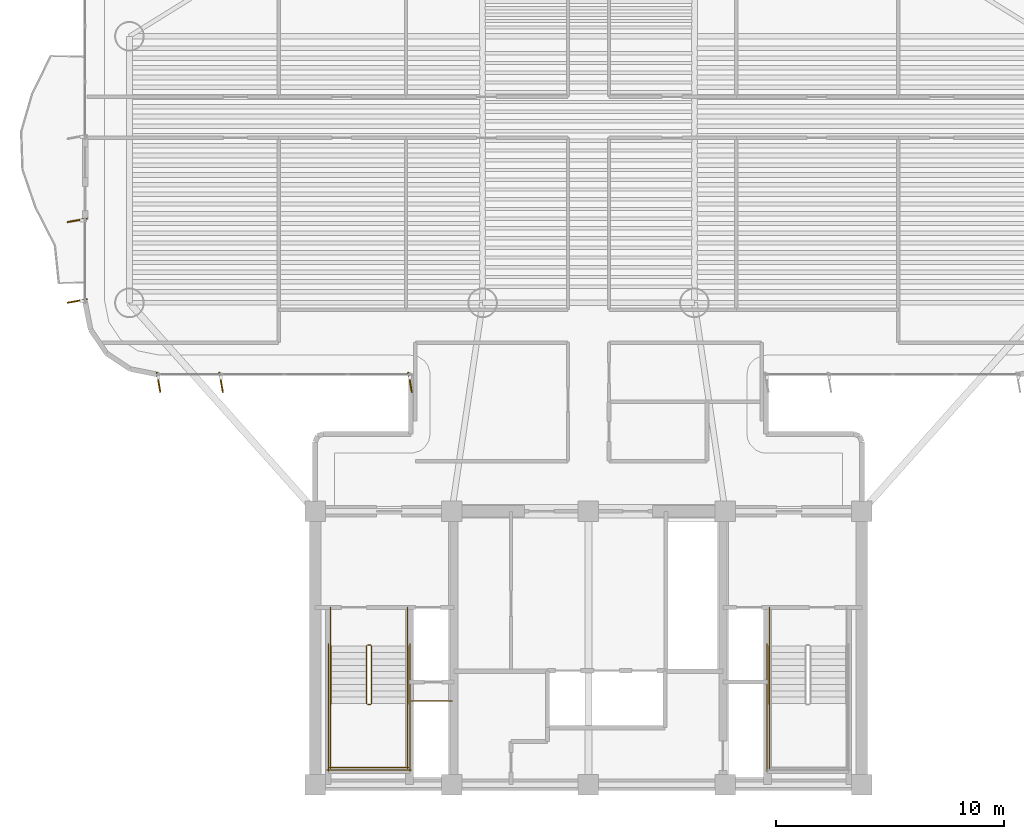
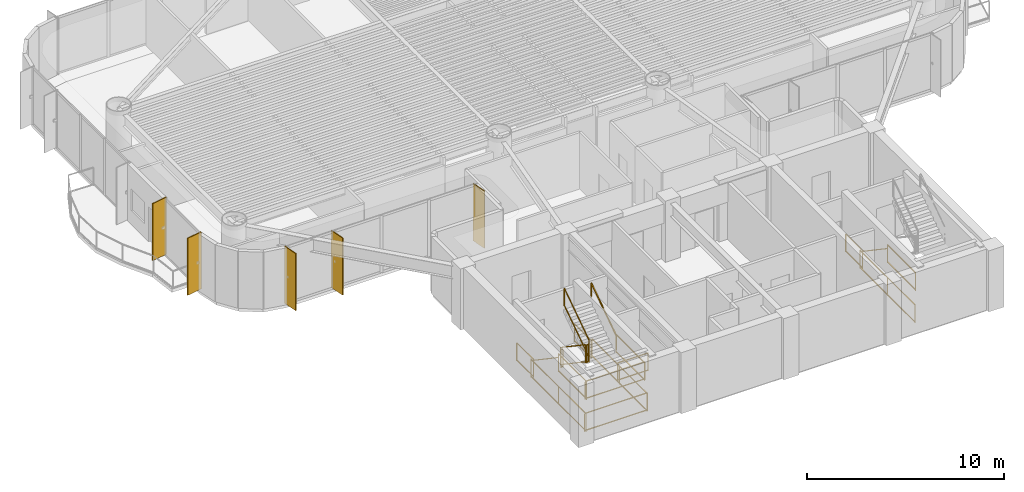
# One storey, part 13 of 16: 19 railings, 5 shading devices.
"""IFC4 building model written with IfcOpenShell, lengths in metres."""

from ifc_helpers import new_model, si_unit, direction, frame, origin, origin_2d, place, context, subcontext, project, spatial, rectangle, extrude, source, transform, mapped, material, layer, layer_set, material_profile, profile_set, type_object, element, save


model = new_model("IFC4")

# Units and contexts
model_context = context("Model", 3, precision=1e-05, world=origin(), true_north=direction((0.0, 1.0)))
body_context = subcontext(model_context, "Body", "Model", "MODEL_VIEW")
ifc_project = project(units=[si_unit("LENGTHUNIT", "METRE"), si_unit("AREAUNIT", "SQUARE_METRE"), si_unit("VOLUMEUNIT", "CUBIC_METRE"), si_unit("PLANEANGLEUNIT", "RADIAN"), si_unit("MASSUNIT", "GRAM", prefix="KILO")], contexts=[model_context])

# Site, building, storey
site_placement = place(None, origin())
site = spatial("IfcSite", under=ifc_project, at=site_placement, CompositionType="ELEMENT")
building_placement = place(site_placement, origin())
building = spatial("IfcBuilding", under=site, at=building_placement, Name="Brelvock Crest Care Tower", CompositionType="ELEMENT")
storey_placement = place(building_placement, frame((0.0, 0.0, 123.840087890625)))
storey = spatial("IfcBuildingStorey", under=building, at=storey_placement, Name="L31", CompositionType="ELEMENT", Elevation=123.840087890625)

# Railings
ifc_material_1 = material(Name="Steel Grade 350", Category="steel")
ifc_layer_1 = layer(ifc_material_1, 0.050048828125, Name="RL-STG1")
ifc_layer_set_1 = layer_set([ifc_layer_1], Name="Steel Grade 350")
railing_type_1 = type_object("IfcRailingType", Name="RL-STG1", PredefinedType="GUARDRAIL", material=ifc_layer_set_1)
railing_1_placement = place(storey_placement, frame((26.260009765625, 12.080078125, 0.18896484375)))
element("IfcRailing", 1, at=railing_1_placement, inside=storey, type_object=railing_type_1, Name="L31 ST-1 stair guard 1", PredefinedType="GUARDRAIL", context=body_context, shape_type="SweptSolid", body=[
    extrude(rectangle(XDim=0.048095703125, YDim=0.048095703125, at=origin_2d()), frame((0.0, -0.001708984375, 1.116943359375), z_axis=(0.0, -0.828861706735, 0.559453546873), x_axis=(1.0, 0.0, 0.0)), (0.0, 0.0, 1.0), 3.036376953125),
    extrude(rectangle(XDim=0.048095703125, YDim=0.048095703125, at=origin_2d()), frame((0.0, -0.001708984375, 0.05615234375), z_axis=(0.0, -0.828861706735, 0.559453546873), x_axis=(1.0, 0.0, 0.0)), (0.0, 0.0, 1.0), 3.036376953125),
    extrude(rectangle(XDim=0.0419921875, YDim=0.0419921875, at=origin_2d()), origin(), (0.0, 0.0, 1.0), 1.08984375),
    extrude(rectangle(XDim=0.0419921875, YDim=0.0419921875, at=origin_2d()), frame((0.0, -2.52001953125, 1.700927734375)), (0.0, 0.0, 1.0), 1.08984375),
])
railing_2_placement = place(storey_placement, frame((26.31005859375, 9.510009765625, 1.889892578125)))
element("IfcRailing", 2, at=railing_2_placement, inside=storey, type_object=railing_type_1, Name="L31 ST-1 stair guard 2", PredefinedType="GUARDRAIL", context=body_context, shape_type="SweptSolid", body=[
    extrude(rectangle(XDim=0.048095703125, YDim=0.048095703125, at=origin_2d()), frame((0.001953125, 0.0, 1.11572265625), z_axis=(1.0, 0.0, 0.0), x_axis=(0.0, 1.0, 0.0)), (0.0, 0.0, 1.0), 0.115966796875),
    extrude(rectangle(XDim=0.048095703125, YDim=0.048095703125, at=origin_2d()), frame((0.001953125, 0.0, 0.054931640625), z_axis=(1.0, 0.0, 0.0), x_axis=(0.0, 1.0, 0.0)), (0.0, 0.0, 1.0), 0.115966796875),
    extrude(rectangle(XDim=0.0419921875, YDim=0.0419921875, at=origin_2d()), origin(), (0.0, 0.0, 1.0), 1.08984375),
    extrude(rectangle(XDim=0.0419921875, YDim=0.0419921875, at=origin_2d()), frame((0.119873046875, 0.0, 0.0)), (0.0, 0.0, 1.0), 1.08984375),
])
for number, where, name in (
    (3, (24.679931640625, 9.56005859375, 1.889892578125), "L31 ST-1 stair guard 3"),
    (4, (28.06005859375, 9.56005859375, 1.889892578125), "L31 ST-1 stair guard 4"),
):
    element("IfcRailing", number, at=place(storey_placement, frame(where)), inside=storey, type_object=railing_type_1, Name=name, PredefinedType="GUARDRAIL", context=body_context, shape_type="SweptSolid", body=[
        extrude(rectangle(XDim=0.048095703125, YDim=0.048095703125, at=origin_2d()), frame((0.0, -0.001953125, 1.11572265625), z_axis=(0.0, -1.0, 0.0), x_axis=(1.0, 0.0, 0.0)), (0.0, 0.0, 1.0), 2.856201171875),
        extrude(rectangle(XDim=0.048095703125, YDim=0.048095703125, at=origin_2d()), frame((0.0, -0.001953125, 0.054931640625), z_axis=(0.0, -1.0, 0.0), x_axis=(1.0, 0.0, 0.0)), (0.0, 0.0, 1.0), 2.856201171875),
        extrude(rectangle(XDim=0.0419921875, YDim=0.0419921875, at=origin_2d()), origin(), (0.0, 0.0, 1.0), 1.08984375),
        extrude(rectangle(XDim=0.0419921875, YDim=0.0419921875, at=origin_2d()), frame((0.0, -2.860107421875, 0.0)), (0.0, 0.0, 1.0), 1.08984375),
    ])
railing_3_placement = place(storey_placement, frame((24.6298828125, 6.75, 1.889892578125)))
element("IfcRailing", 5, at=railing_3_placement, inside=storey, type_object=railing_type_1, Name="L31 ST-1 stair guard 5", PredefinedType="GUARDRAIL", context=body_context, shape_type="SweptSolid", body=[
    extrude(rectangle(XDim=0.048095703125, YDim=0.048095703125, at=origin_2d()), frame((0.001953125, 0.0, 1.11572265625), z_axis=(1.0, 0.0, 0.0), x_axis=(0.0, 1.0, 0.0)), (0.0, 0.0, 1.0), 3.476318359375),
    extrude(rectangle(XDim=0.048095703125, YDim=0.048095703125, at=origin_2d()), frame((0.001953125, 0.0, 0.054931640625), z_axis=(1.0, 0.0, 0.0), x_axis=(0.0, 1.0, 0.0)), (0.0, 0.0, 1.0), 3.476318359375),
    extrude(rectangle(XDim=0.0419921875, YDim=0.0419921875, at=origin_2d()), origin(), (0.0, 0.0, 1.0), 1.08984375),
    extrude(rectangle(XDim=0.0419921875, YDim=0.0419921875, at=origin_2d()), frame((3.480224609375, 0.0, 0.0)), (0.0, 0.0, 1.0), 1.08984375),
])
railing_4_placement = place(storey_placement, frame((26.47998046875, 9.56005859375, 2.078857421875)))
element("IfcRailing", 6, at=railing_4_placement, inside=storey, type_object=railing_type_1, Name="L31 ST-1 stair guard 6", PredefinedType="GUARDRAIL", context=body_context, shape_type="SweptSolid", body=[
    extrude(rectangle(XDim=0.048095703125, YDim=0.048095703125, at=origin_2d()), frame((0.0, 0.001708984375, 1.116943359375), z_axis=(0.0, 0.82882447046, 0.559508710537), x_axis=(-1.0, 0.0, 0.0)), (0.0, 0.0, 1.0), 3.036376953125),
    extrude(rectangle(XDim=0.048095703125, YDim=0.048095703125, at=origin_2d()), frame((0.0, 0.001708984375, 0.05615234375), z_axis=(0.0, 0.82882447046, 0.559508710537), x_axis=(-1.0, 0.0, 0.0)), (0.0, 0.0, 1.0), 3.036376953125),
    extrude(rectangle(XDim=0.0419921875, YDim=0.0419921875, at=origin_2d()), origin(), (0.0, 0.0, 1.0), 1.08984375),
    extrude(rectangle(XDim=0.0419921875, YDim=0.0419921875, at=origin_2d()), frame((0.0, 2.52001953125, 1.701171875)), (0.0, 0.0, 1.0), 1.08984375),
])
railing_5_placement = place(storey_placement, frame((26.31005859375, 12.1298828125, 0.0)))
element("IfcRailing", 7, at=railing_5_placement, inside=storey, type_object=railing_type_1, Name="L31 ST-1 stair guard 7", PredefinedType="GUARDRAIL", context=body_context, shape_type="SweptSolid", body=[
    extrude(rectangle(XDim=0.048095703125, YDim=0.048095703125, at=origin_2d()), frame((0.001953125, 0.0, 1.11572265625), z_axis=(1.0, 0.0, 0.0), x_axis=(0.0, 1.0, 0.0)), (0.0, 0.0, 1.0), 0.115966796875),
    extrude(rectangle(XDim=0.048095703125, YDim=0.048095703125, at=origin_2d()), frame((0.001953125, 0.0, 0.054931640625), z_axis=(1.0, 0.0, 0.0), x_axis=(0.0, 1.0, 0.0)), (0.0, 0.0, 1.0), 0.115966796875),
    extrude(rectangle(XDim=0.0419921875, YDim=0.0419921875, at=origin_2d()), origin(), (0.0, 0.0, 1.0), 1.08984375),
    extrude(rectangle(XDim=0.0419921875, YDim=0.0419921875, at=origin_2d()), frame((0.119873046875, 0.0, 0.0)), (0.0, 0.0, 1.0), 1.08984375),
])
for number, where, name in (
    (8, (24.679931640625, 13.780029296875, 0.0), "L31 ST-1 stair guard 8"),
    (9, (28.06005859375, 13.780029296875, 0.0), "L31 ST-1 stair guard 9"),
):
    element("IfcRailing", number, at=place(storey_placement, frame(where)), inside=storey, type_object=railing_type_1, Name=name, PredefinedType="GUARDRAIL", context=body_context, shape_type="SweptSolid", body=[
        extrude(rectangle(XDim=0.048095703125, YDim=0.048095703125, at=origin_2d()), frame((0.0, -0.001953125, 1.11572265625), z_axis=(0.0, -1.0, 0.0), x_axis=(1.0, 0.0, 0.0)), (0.0, 0.0, 1.0), 1.696044921875),
        extrude(rectangle(XDim=0.048095703125, YDim=0.048095703125, at=origin_2d()), frame((0.0, -0.001953125, 0.054931640625), z_axis=(0.0, -1.0, 0.0), x_axis=(1.0, 0.0, 0.0)), (0.0, 0.0, 1.0), 1.696044921875),
        extrude(rectangle(XDim=0.0419921875, YDim=0.0419921875, at=origin_2d()), origin(), (0.0, 0.0, 1.0), 1.08984375),
        extrude(rectangle(XDim=0.0419921875, YDim=0.0419921875, at=origin_2d()), frame((0.0, -1.699951171875, 0.0)), (0.0, 0.0, 1.0), 1.08984375),
    ])
for number, where, name in (
    (10, (24.580078125, 12.179931640625, 0.0), "L31 ST-1 stair guard 10"),
    (11, (28.159912109375, 12.179931640625, 0.0), "L31 ST-1 stair guard 11"),
):
    element("IfcRailing", number, at=place(storey_placement, frame(where)), inside=storey, type_object=railing_type_1, Name=name, PredefinedType="GUARDRAIL", context=body_context, shape_type="SweptSolid", body=[
        extrude(rectangle(XDim=0.048095703125, YDim=0.048095703125, at=origin_2d()), frame((0.0, -0.001953125, 1.11572265625), z_axis=(0.0, -1.0, 0.0), x_axis=(1.0, 0.0, 0.0)), (0.0, 0.0, 1.0), 5.575927734375),
        extrude(rectangle(XDim=0.048095703125, YDim=0.048095703125, at=origin_2d()), frame((0.0, -0.001953125, 0.054931640625), z_axis=(0.0, -1.0, 0.0), x_axis=(1.0, 0.0, 0.0)), (0.0, 0.0, 1.0), 5.575927734375),
        extrude(rectangle(XDim=0.0419921875, YDim=0.0419921875, at=origin_2d()), origin(), (0.0, 0.0, 1.0), 1.08984375),
        extrude(rectangle(XDim=0.0419921875, YDim=0.0419921875, at=origin_2d()), frame((0.0, -2.7900390625, 0.0)), (0.0, 0.0, 1.0), 1.08984375),
        extrude(rectangle(XDim=0.0419921875, YDim=0.0419921875, at=origin_2d()), frame((0.0, -5.579833984375, 0.0)), (0.0, 0.0, 1.0), 1.08984375),
    ])
railing_6_placement = place(storey_placement, frame((24.530029296875, 6.64990234375, 0.0)))
element("IfcRailing", 12, at=railing_6_placement, inside=storey, type_object=railing_type_1, Name="L31 ST-1 stair guard 12", PredefinedType="GUARDRAIL", context=body_context, shape_type="SweptSolid", body=[
    extrude(rectangle(XDim=0.048095703125, YDim=0.048095703125, at=origin_2d()), frame((0.001953125, 0.0, 1.11572265625), z_axis=(1.0, 0.0, 0.0), x_axis=(0.0, 1.0, 0.0)), (0.0, 0.0, 1.0), 3.676025390625),
    extrude(rectangle(XDim=0.048095703125, YDim=0.048095703125, at=origin_2d()), frame((0.001953125, 0.0, 0.054931640625), z_axis=(1.0, 0.0, 0.0), x_axis=(0.0, 1.0, 0.0)), (0.0, 0.0, 1.0), 3.676025390625),
    extrude(rectangle(XDim=0.0419921875, YDim=0.0419921875, at=origin_2d()), origin(), (0.0, 0.0, 1.0), 1.08984375),
    extrude(rectangle(XDim=0.0419921875, YDim=0.0419921875, at=origin_2d()), frame((3.679931640625, 0.0, 0.0)), (0.0, 0.0, 1.0), 1.08984375),
])
railing_7_placement = place(storey_placement, frame((43.93994140625, 9.56005859375, 1.889892578125)))
element("IfcRailing", 13, at=railing_7_placement, inside=storey, type_object=railing_type_1, Name="L31 ST-2 stair guard 3", PredefinedType="GUARDRAIL", context=body_context, shape_type="SweptSolid", body=[
    extrude(rectangle(XDim=0.048095703125, YDim=0.048095703125, at=origin_2d()), frame((0.0, -0.001953125, 1.11572265625), z_axis=(0.0, -1.0, 0.0), x_axis=(1.0, 0.0, 0.0)), (0.0, 0.0, 1.0), 2.856201171875),
    extrude(rectangle(XDim=0.048095703125, YDim=0.048095703125, at=origin_2d()), frame((0.0, -0.001953125, 0.054931640625), z_axis=(0.0, -1.0, 0.0), x_axis=(1.0, 0.0, 0.0)), (0.0, 0.0, 1.0), 2.856201171875),
    extrude(rectangle(XDim=0.0419921875, YDim=0.0419921875, at=origin_2d()), origin(), (0.0, 0.0, 1.0), 1.08984375),
    extrude(rectangle(XDim=0.0419921875, YDim=0.0419921875, at=origin_2d()), frame((0.0, -2.860107421875, 0.0)), (0.0, 0.0, 1.0), 1.08984375),
])
railing_8_placement = place(storey_placement, frame((43.93994140625, 13.780029296875, 0.0)))
element("IfcRailing", 14, at=railing_8_placement, inside=storey, type_object=railing_type_1, Name="L31 ST-2 stair guard 8", PredefinedType="GUARDRAIL", context=body_context, shape_type="SweptSolid", body=[
    extrude(rectangle(XDim=0.048095703125, YDim=0.048095703125, at=origin_2d()), frame((0.0, -0.001953125, 1.11572265625), z_axis=(0.0, -1.0, 0.0), x_axis=(1.0, 0.0, 0.0)), (0.0, 0.0, 1.0), 1.696044921875),
    extrude(rectangle(XDim=0.048095703125, YDim=0.048095703125, at=origin_2d()), frame((0.0, -0.001953125, 0.054931640625), z_axis=(0.0, -1.0, 0.0), x_axis=(1.0, 0.0, 0.0)), (0.0, 0.0, 1.0), 1.696044921875),
    extrude(rectangle(XDim=0.0419921875, YDim=0.0419921875, at=origin_2d()), origin(), (0.0, 0.0, 1.0), 1.08984375),
    extrude(rectangle(XDim=0.0419921875, YDim=0.0419921875, at=origin_2d()), frame((0.0, -1.699951171875, 0.0)), (0.0, 0.0, 1.0), 1.08984375),
])
railing_9_placement = place(storey_placement, frame((43.840087890625, 12.179931640625, 0.0)))
element("IfcRailing", 15, at=railing_9_placement, inside=storey, type_object=railing_type_1, Name="L31 ST-2 stair guard 10", PredefinedType="GUARDRAIL", context=body_context, shape_type="SweptSolid", body=[
    extrude(rectangle(XDim=0.048095703125, YDim=0.048095703125, at=origin_2d()), frame((0.0, -0.001953125, 1.11572265625), z_axis=(0.0, -1.0, 0.0), x_axis=(1.0, 0.0, 0.0)), (0.0, 0.0, 1.0), 5.575927734375),
    extrude(rectangle(XDim=0.048095703125, YDim=0.048095703125, at=origin_2d()), frame((0.0, -0.001953125, 0.054931640625), z_axis=(0.0, -1.0, 0.0), x_axis=(1.0, 0.0, 0.0)), (0.0, 0.0, 1.0), 5.575927734375),
    extrude(rectangle(XDim=0.0419921875, YDim=0.0419921875, at=origin_2d()), origin(), (0.0, 0.0, 1.0), 1.08984375),
    extrude(rectangle(XDim=0.0419921875, YDim=0.0419921875, at=origin_2d()), frame((0.0, -2.7900390625, 0.0)), (0.0, 0.0, 1.0), 1.08984375),
    extrude(rectangle(XDim=0.0419921875, YDim=0.0419921875, at=origin_2d()), frame((0.0, -5.579833984375, 0.0)), (0.0, 0.0, 1.0), 1.08984375),
])
railing_10_placement = place(storey_placement, frame((28.219970703125, 9.679931640625, 0.0)))
element("IfcRailing", 16, at=railing_10_placement, inside=storey, type_object=railing_type_1, Name="L31 Fire Riser Threshold Guard", PredefinedType="GUARDRAIL", context=body_context, shape_type="SweptSolid", body=[
    extrude(rectangle(XDim=0.048095703125, YDim=0.048095703125, at=origin_2d()), frame((0.001953125, 0.0, 1.11572265625), z_axis=(1.0, 0.0, 0.0), x_axis=(0.0, 1.0, 0.0)), (0.0, 0.0, 1.0), 1.776123046875),
    extrude(rectangle(XDim=0.048095703125, YDim=0.048095703125, at=origin_2d()), frame((0.001953125, 0.0, 0.054931640625), z_axis=(1.0, 0.0, 0.0), x_axis=(0.0, 1.0, 0.0)), (0.0, 0.0, 1.0), 1.776123046875),
    extrude(rectangle(XDim=0.0419921875, YDim=0.0419921875, at=origin_2d()), origin(), (0.0, 0.0, 1.0), 1.08984375),
    extrude(rectangle(XDim=0.0419921875, YDim=0.0419921875, at=origin_2d()), frame((1.780029296875, 0.0, 0.0)), (0.0, 0.0, 1.0), 1.08984375),
])
ifc_layer_2 = layer(ifc_material_1, 0.048095703125, Name="RL-STH1")
ifc_layer_set_2 = layer_set([ifc_layer_2], Name="Steel Grade 350")
railing_type_2 = type_object("IfcRailingType", Name="RL-STH1", PredefinedType="HANDRAIL", material=ifc_layer_set_2)
railing_11_placement = place(storey_placement, frame((24.679931640625, 12.080078125, 0.18896484375)))
element("IfcRailing", 17, at=railing_11_placement, inside=storey, type_object=railing_type_2, Name="L31 ST-1 stair handrail 1", PredefinedType="HANDRAIL", context=body_context, shape_type="SweptSolid", body=[
    extrude(rectangle(XDim=0.048095703125, YDim=0.048095703125, at=origin_2d()), frame((0.0, -0.001708984375, 0.876953125), z_axis=(0.0, -0.828861706735, 0.559453546873), x_axis=(1.0, 0.0, 0.0)), (0.0, 0.0, 1.0), 3.036376953125),
    extrude(rectangle(XDim=0.0419921875, YDim=0.0419921875, at=origin_2d()), origin(), (0.0, 0.0, 1.0), 0.849853515625),
    extrude(rectangle(XDim=0.0419921875, YDim=0.0419921875, at=origin_2d()), frame((0.0, -2.52001953125, 1.700927734375)), (0.0, 0.0, 1.0), 0.849853515625),
])
railing_12_placement = place(storey_placement, frame((28.06005859375, 9.56005859375, 2.078857421875)))
element("IfcRailing", 18, at=railing_12_placement, inside=storey, type_object=railing_type_2, Name="L31 ST-1 stair handrail 2", PredefinedType="HANDRAIL", context=body_context, shape_type="SweptSolid", body=[
    extrude(rectangle(XDim=0.048095703125, YDim=0.048095703125, at=origin_2d()), frame((0.0, 0.001708984375, 0.876953125), z_axis=(0.0, 0.82882447046, 0.559508710537), x_axis=(-1.0, 0.0, 0.0)), (0.0, 0.0, 1.0), 3.036376953125),
    extrude(rectangle(XDim=0.0419921875, YDim=0.0419921875, at=origin_2d()), origin(), (0.0, 0.0, 1.0), 0.849853515625),
    extrude(rectangle(XDim=0.0419921875, YDim=0.0419921875, at=origin_2d()), frame((0.0, 2.52001953125, 1.701171875)), (0.0, 0.0, 1.0), 0.849853515625),
])
railing_13_placement = place(storey_placement, frame((43.93994140625, 12.080078125, 0.18896484375)))
element("IfcRailing", 19, at=railing_13_placement, inside=storey, type_object=railing_type_2, Name="L31 ST-2 stair handrail 1", PredefinedType="HANDRAIL", context=body_context, shape_type="SweptSolid", body=[
    extrude(rectangle(XDim=0.048095703125, YDim=0.048095703125, at=origin_2d()), frame((0.0, -0.001708984375, 0.876953125), z_axis=(0.0, -0.828861706735, 0.559453546873), x_axis=(1.0, 0.0, 0.0)), (0.0, 0.0, 1.0), 3.036376953125),
    extrude(rectangle(XDim=0.0419921875, YDim=0.0419921875, at=origin_2d()), origin(), (0.0, 0.0, 1.0), 0.849853515625),
    extrude(rectangle(XDim=0.0419921875, YDim=0.0419921875, at=origin_2d()), frame((0.0, -2.52001953125, 1.700927734375)), (0.0, 0.0, 1.0), 0.849853515625),
])

# Shading devices
ifc_material_2 = material(Name="Aluminium 6063-T6", Category="aluminium")
ifc_material_profile = material_profile(ifc_material_2, rectangle(XDim=0.054931640625, YDim=0.89990234375, at=origin_2d()), Name="FIN55x900")
ifc_profile_set = profile_set([ifc_material_profile], Name="Aluminium 6063-T6")
shading_device_type = type_object("IfcShadingDeviceType", Name="SHD-FIN1", PredefinedType="USERDEFINED", material=ifc_profile_set)
shared_shape = source(origin(), body_context, "Body", "SweptSolid", [
    extrude(rectangle(XDim=0.054931640625, YDim=0.89990234375, at=origin_2d()), origin(), (0.0, 0.0, 1.0), 3.530029296875),
])
for number, where, z_axis, x_axis, name in (
    (20, (28.169921875, 23.659912109375, 0.0), (0.0, 0.0, 1.0), (-0.984807753012, -0.173648177667, 0.0), "L31 Vertical Sunshade Fin E12-01"),
    (21, (19.875, 23.659912109375, 0.0), (0.0, 0.0, 1.0), (-0.984807753012, -0.173648177667, 0.0), "L31 Vertical Sunshade Fin E12-04"),
    (22, (17.1298828125, 23.659912109375, 0.0), (0.0, 0.0, 1.0), (-0.984807753012, -0.173648177667, 0.0), "L31 Vertical Sunshade Fin E12-05"),
    (23, (13.56005859375, 27.22998046875, 0.0), (0.0, 0.0, 1.0), (-0.173648177667, 0.984807753012, 0.0), "L31 Vertical Sunshade Fin E17A-01"),
    (24, (13.56005859375, 30.77001953125, 0.0), (0.0, 0.0, 1.0), (-0.173648177667, 0.984807753012, 0.0), "L31 Vertical Sunshade Fin E17A-02"),
):
    element("IfcShadingDevice", number, at=place(storey_placement, frame(where, z_axis=z_axis, x_axis=x_axis)), inside=storey, type_object=shading_device_type, Name=name, ObjectType="FIN", PredefinedType="USERDEFINED", context=body_context, shape_type="MappedRepresentation", body=[
        mapped(shared_shape, transform((0.0, 0.0, 0.0), x_axis=(1.0, 0.0, 0.0), y_axis=(0.0, 1.0, 0.0), z_axis=(0.0, 0.0, 1.0), scale=1.0)),
    ])

save(model, "model.ifc")
